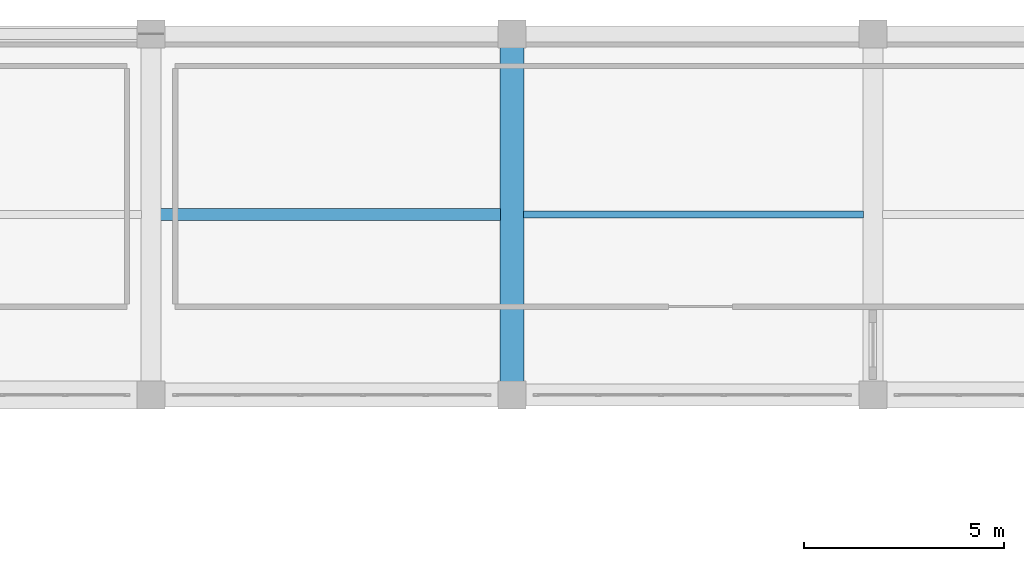
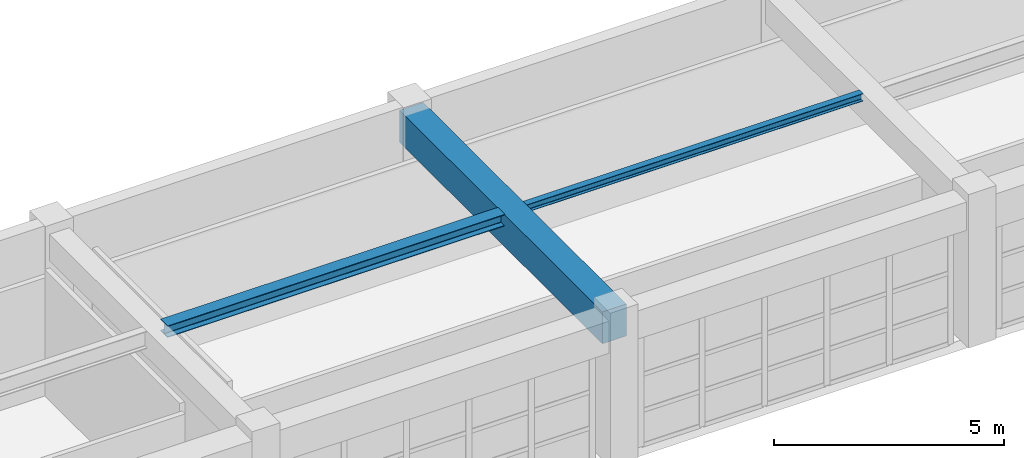
# One storey, part 65 of 130: 3 beams.
"""IFC4 building model written with IfcOpenShell, lengths in metres."""

from ifc_helpers import new_model, si_unit, direction, frame, origin, origin_2d, place, context, subcontext, project, spatial, rectangle, i_section, extrude, material, material_profile, profile_set, type_object, element, save


model = new_model("IFC4")

# Units and contexts
model_context = context("Model", 3, precision=1e-05, world=origin(), true_north=direction((0.0, 1.0)))
body_context = subcontext(model_context, "Body", "Model", "MODEL_VIEW")
ifc_project = project(units=[si_unit("LENGTHUNIT", "METRE"), si_unit("AREAUNIT", "SQUARE_METRE"), si_unit("VOLUMEUNIT", "CUBIC_METRE"), si_unit("PLANEANGLEUNIT", "RADIAN"), si_unit("MASSUNIT", "GRAM", prefix="KILO")], contexts=[model_context])

# Site, building, storey
site_placement = place(None, origin())
site = spatial("IfcSite", under=ifc_project, at=site_placement, CompositionType="ELEMENT")
building_placement = place(site_placement, origin())
building = spatial("IfcBuilding", under=site, at=building_placement, Name="Miravela Opera House", CompositionType="ELEMENT")
storey_placement = place(building_placement, frame((0.0, 0.0, 9.52001953125)))
storey = spatial("IfcBuildingStorey", under=building, at=storey_placement, Name="L02", CompositionType="ELEMENT", Elevation=9.52001953125)

# Beams
ifc_material_1 = material(Name="Concrete C40/50", Category="concrete")
ifc_material_profile_1 = material_profile(ifc_material_1, rectangle(XDim=0.60009765625, YDim=0.85009765625, at=origin_2d()), Name="RC-BM-600X850")
ifc_profile_set_1 = profile_set([ifc_material_profile_1])
beam_type_1 = type_object("IfcBeamType", Name="STR-BM-RC600X850", PredefinedType="BEAM", material=ifc_profile_set_1)
beam_1_placement = place(storey_placement, frame((45.0, 103.080078125, 3.4150390625), z_axis=(0.0, 1.0, 0.0), x_axis=(-1.0, 0.0, 0.0)))
element("IfcBeam", 1, at=beam_1_placement, inside=storey, type_object=beam_type_1, Name="Floor Girder L02 6/L-M", PredefinedType="BEAM", context=body_context, shape_type="SweptSolid", body=[
    extrude(rectangle(XDim=0.60009765625, YDim=0.85009765625, at=origin_2d()), origin(), (0.0, 0.0, 1.0), 8.83984375),
])
ifc_material_2 = material(Name="Structural steel ASTM A992 Gr. 50", Category="steel")
ifc_material_profile_2 = material_profile(ifc_material_2, i_section(OverallWidth=0.1650390625, OverallDepth=0.200927734375, WebThickness=0.006103515625, FlangeThickness=0.01025390625, FilletRadius=0.010009765625, at=origin_2d()), Name="W200X36")
ifc_profile_set_2 = profile_set([ifc_material_profile_2])
beam_type_2 = type_object("IfcBeamType", Name="STR-BM-W200X36", PredefinedType="LINTEL", material=ifc_profile_set_2)
beam_2_placement = place(storey_placement, frame((45.284912109375, 107.5, 3.739501953125), z_axis=(1.0, 0.0, 0.0), x_axis=(0.0, 1.0, 0.0)))
element("IfcBeam", 2, at=beam_2_placement, inside=storey, type_object=beam_type_2, Name="Secondary Floor Joist L02 6-7/L-M", PredefinedType="LINTEL", context=body_context, shape_type="SweptSolid", body=[
    extrude(i_section(OverallWidth=0.1650390625, OverallDepth=0.200927734375, WebThickness=0.006103515625, FlangeThickness=0.01025390625, FilletRadius=0.010009765625, at=origin_2d()), origin(), (0.0, 0.0, 1.0), 8.47998046875),
])
ifc_material_profile_3 = material_profile(ifc_material_2, i_section(OverallWidth=0.304931640625, OverallDepth=0.30810546875, WebThickness=0.010009765625, FlangeThickness=0.015380859375, FilletRadius=0.013916015625, at=origin_2d()), Name="W310X97")
ifc_profile_set_3 = profile_set([ifc_material_profile_3])
beam_type_3 = type_object("IfcBeamType", Name="STR-BM-W310X97", PredefinedType="JOIST", material=ifc_profile_set_3)
beam_3_placement = place(storey_placement, frame((36.235107421875, 107.5, 3.68603515625), z_axis=(1.0, 0.0, 0.0), x_axis=(0.0, 1.0, 0.0)))
element("IfcBeam", 3, at=beam_3_placement, inside=storey, type_object=beam_type_3, Name="Secondary Floor Joist L02 5-6/L-M", PredefinedType="JOIST", context=body_context, shape_type="SweptSolid", body=[
    extrude(i_section(OverallWidth=0.304931640625, OverallDepth=0.30810546875, WebThickness=0.010009765625, FlangeThickness=0.015380859375, FilletRadius=0.013916015625, at=origin_2d()), origin(), (0.0, 0.0, 1.0), 8.47998046875),
])

save(model, "model.ifc")
